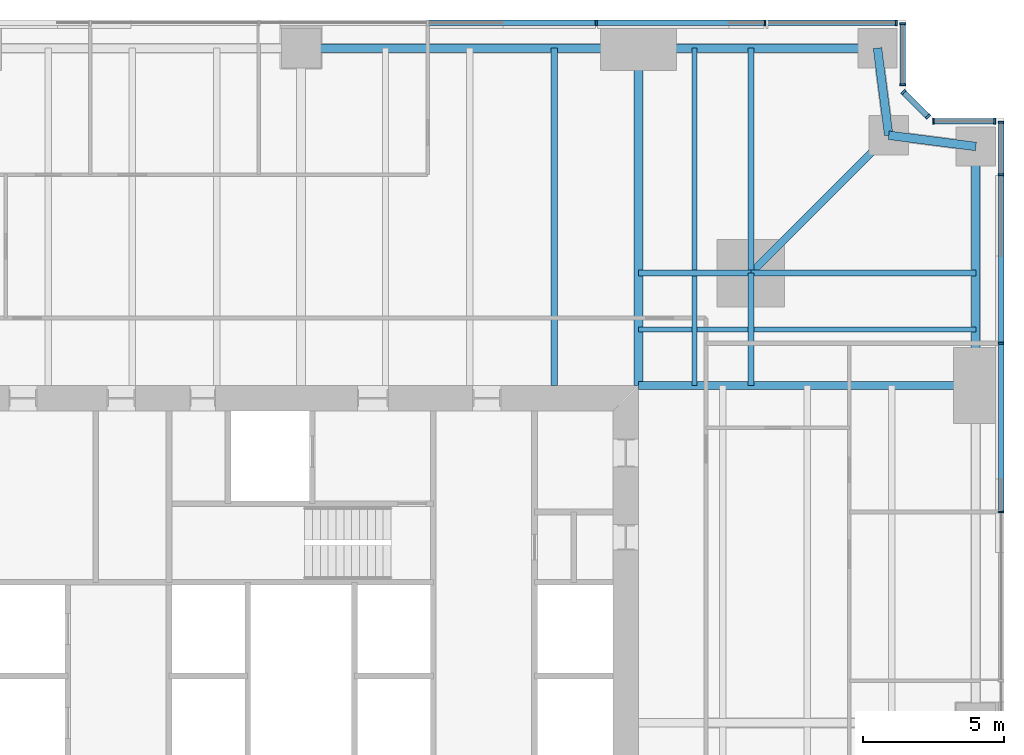
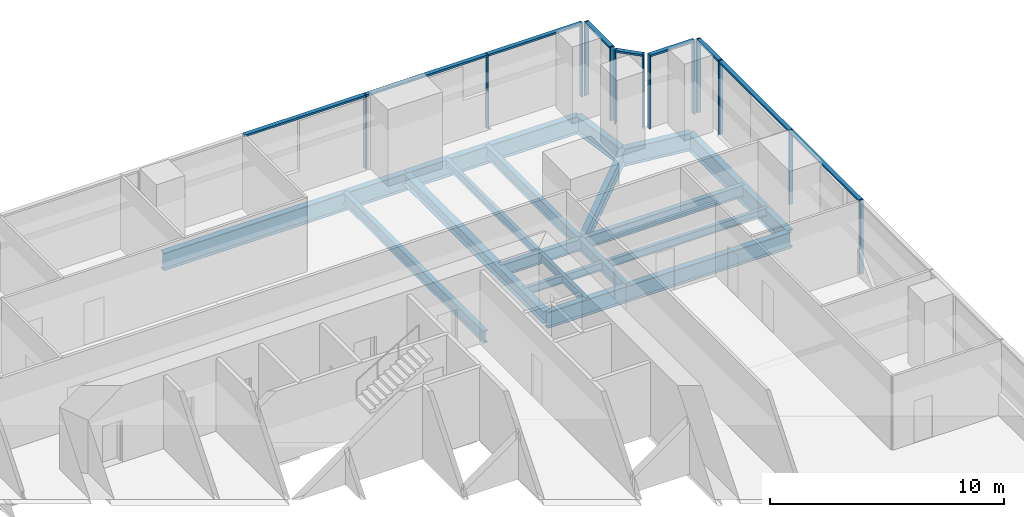
# One storey, part 7 of 16: 22 members, 18 beams, 5 elements without a shape of their own.
"""IFC4 building model written with IfcOpenShell, lengths in metres."""

from ifc_helpers import new_model, si_unit, direction, frame, origin, origin_2d, place, context, subcontext, project, spatial, rectangle, i_section, extrude, material, material_profile, profile_set, type_object, element, aggregate, save


model = new_model("IFC4")

# Units and contexts
model_context = context("Model", 3, precision=1e-05, world=origin(), true_north=direction((0.0, 1.0)))
body_context = subcontext(model_context, "Body", "Model", "MODEL_VIEW")
ifc_project = project(units=[si_unit("LENGTHUNIT", "METRE"), si_unit("AREAUNIT", "SQUARE_METRE"), si_unit("VOLUMEUNIT", "CUBIC_METRE"), si_unit("PLANEANGLEUNIT", "RADIAN"), si_unit("MASSUNIT", "GRAM", prefix="KILO")], contexts=[model_context])

# Site, building, storey
site_placement = place(None, origin())
site = spatial("IfcSite", under=ifc_project, at=site_placement, CompositionType="ELEMENT")
building_placement = place(site_placement, origin())
building = spatial("IfcBuilding", under=site, at=building_placement, Name="Fenwick Lantern Interchange", CompositionType="ELEMENT")
storey_placement = place(building_placement, frame((0.0, 0.0, 75.0)))
storey = spatial("IfcBuildingStorey", under=building, at=storey_placement, Name="L17", CompositionType="ELEMENT", Elevation=75.0)

# Beams
ifc_material_1 = material(Name="Steel ASTM A992 Grade 50", Category="steel")
ifc_material_profile_1 = material_profile(ifc_material_1, i_section(OverallWidth=0.3046875, OverallDepth=0.911865234375, WebThickness=0.015869140625, FlangeThickness=0.02392578125, at=origin_2d()), Name="W36X150")
ifc_profile_set_1 = profile_set([ifc_material_profile_1], Name="Steel ASTM A992 Grade 50")
beam_type_1 = type_object("IfcBeamType", Name="EDGE BEAM W36X150", PredefinedType="SPANDREL", material=ifc_profile_set_1)
beam_1_placement = place(storey_placement, frame((49.0, 37.0, -0.60595703125), z_axis=(0.0, 1.0, 0.0), x_axis=(-1.0, 0.0, 0.0)))
element("IfcBeam", 1, at=beam_1_placement, inside=storey, type_object=beam_type_1, Name="L17/FR/E/EB4", PredefinedType="SPANDREL", context=body_context, shape_type="SweptSolid", body=[
    extrude(i_section(OverallWidth=0.3046875, OverallDepth=0.911865234375, WebThickness=0.015869140625, FlangeThickness=0.02392578125, at=origin_2d()), origin(), (0.0, 0.0, 1.0), 8.5),
])
for number, where, z_axis, x_axis, name in (
    (2, (49.0, 45.5, -0.60595703125), (-0.991782342897, 0.127936641807, 0.0), (-0.127936641807, -0.991782342897, 0.0), "L17/FR/E/EBR1"),
    (3, (45.89990234375, 45.89990234375, -0.60595703125), (-0.127936641807, 0.991782342897, 0.0), (-0.991782342897, -0.127936641807, 0.0), "L17/FR/E/EBR2"),
):
    element("IfcBeam", number, at=place(storey_placement, frame(where, z_axis=z_axis, x_axis=x_axis)), inside=storey, type_object=beam_type_1, Name=name, PredefinedType="SPANDREL", context=body_context, shape_type="SweptSolid", body=[
        extrude(i_section(OverallWidth=0.3046875, OverallDepth=0.911865234375, WebThickness=0.015869140625, FlangeThickness=0.02392578125, at=origin_2d()), origin(), (0.0, 0.0, 1.0), 3.125732421875),
    ])
beam_2_placement = place(storey_placement, frame((45.5, 49.0, -0.60595703125), z_axis=(-1.0, 0.0, 0.0), x_axis=(0.0, -1.0, 0.0)))
element("IfcBeam", 4, at=beam_2_placement, inside=storey, type_object=beam_type_1, Name="L17/FR/N/EB1", PredefinedType="SPANDREL", context=body_context, shape_type="SweptSolid", body=[
    extrude(i_section(OverallWidth=0.3046875, OverallDepth=0.911865234375, WebThickness=0.015869140625, FlangeThickness=0.02392578125, at=origin_2d()), origin(), (0.0, 0.0, 1.0), 8.5),
])
beam_3_placement = place(storey_placement, frame((37.0, 49.0, -0.60595703125), z_axis=(-1.0, 0.0, 0.0), x_axis=(0.0, -1.0, 0.0)))
element("IfcBeam", 5, at=beam_3_placement, inside=storey, type_object=beam_type_1, Name="L17/FR/N/EB2", PredefinedType="SPANDREL", context=body_context, shape_type="SweptSolid", body=[
    extrude(i_section(OverallWidth=0.3046875, OverallDepth=0.911865234375, WebThickness=0.015869140625, FlangeThickness=0.02392578125, at=origin_2d()), origin(), (0.0, 0.0, 1.0), 12.0),
])
ifc_material_profile_2 = material_profile(ifc_material_1, i_section(OverallWidth=0.22900390625, OverallDepth=0.612060546875, WebThickness=0.011962890625, FlangeThickness=0.01953125, at=origin_2d()), Name="W24X84")
ifc_profile_set_2 = profile_set([ifc_material_profile_2], Name="Steel ASTM A992 Grade 50")
beam_type_2 = type_object("IfcBeamType", Name="FLOOR BEAM W24X84", PredefinedType="BEAM", material=ifc_profile_set_2)
beam_4_placement = place(storey_placement, frame((34.0, 49.0, -0.4560546875), z_axis=(0.0, -1.0, 0.0), x_axis=(1.0, 0.0, 0.0)))
element("IfcBeam", 6, at=beam_4_placement, inside=storey, type_object=beam_type_2, Name="L17/FR/N/R02", PredefinedType="BEAM", context=body_context, shape_type="SweptSolid", body=[
    extrude(i_section(OverallWidth=0.22900390625, OverallDepth=0.612060546875, WebThickness=0.011962890625, FlangeThickness=0.01953125, at=origin_2d()), origin(), (0.0, 0.0, 1.0), 12.0),
])
ifc_material_profile_3 = material_profile(ifc_material_1, i_section(OverallWidth=0.177734375, OverallDepth=0.406494140625, WebThickness=0.0078125, FlangeThickness=0.012939453125, at=origin_2d()), Name="W16X40")
ifc_profile_set_3 = profile_set([ifc_material_profile_3], Name="Steel ASTM A992 Grade 50")
beam_type_3 = type_object("IfcBeamType", Name="INFILL BEAM W16X40", PredefinedType="JOIST", material=ifc_profile_set_3)
beam_5_placement = place(storey_placement, frame((39.0, 49.0, -0.353271484375), z_axis=(0.0, -1.0, 0.0), x_axis=(1.0, 0.0, 0.0)))
element("IfcBeam", 7, at=beam_5_placement, inside=storey, type_object=beam_type_3, Name="L17/FR/N/J1", PredefinedType="JOIST", context=body_context, shape_type="SweptSolid", body=[
    extrude(i_section(OverallWidth=0.177734375, OverallDepth=0.406494140625, WebThickness=0.0078125, FlangeThickness=0.012939453125, at=origin_2d()), origin(), (0.0, 0.0, 1.0), 7.885498046875),
])
beam_6_placement = place(storey_placement, frame((39.0, 40.885498046875, -0.353271484375), z_axis=(0.0, -1.0, 0.0), x_axis=(1.0, 0.0, 0.0)))
element("IfcBeam", 8, at=beam_6_placement, inside=storey, type_object=beam_type_3, Name="L17/FR/N/J2", PredefinedType="JOIST", context=body_context, shape_type="SweptSolid", body=[
    extrude(i_section(OverallWidth=0.177734375, OverallDepth=0.406494140625, WebThickness=0.0078125, FlangeThickness=0.012939453125, at=origin_2d()), origin(), (0.0, 0.0, 1.0), 3.885498046875),
])
beam_7_placement = place(storey_placement, frame((49.0, 39.0, -0.353271484375), z_axis=(-1.0, 0.0, 0.0), x_axis=(0.0, -1.0, 0.0)))
element("IfcBeam", 9, at=beam_7_placement, inside=storey, type_object=beam_type_3, Name="L17/FR/N/J3", PredefinedType="JOIST", context=body_context, shape_type="SweptSolid", body=[
    extrude(i_section(OverallWidth=0.177734375, OverallDepth=0.406494140625, WebThickness=0.0078125, FlangeThickness=0.012939453125, at=origin_2d()), origin(), (0.0, 0.0, 1.0), 7.885498046875),
])
beam_8_placement = place(storey_placement, frame((40.885498046875, 39.0, -0.353271484375), z_axis=(-1.0, 0.0, 0.0), x_axis=(0.0, -1.0, 0.0)))
element("IfcBeam", 10, at=beam_8_placement, inside=storey, type_object=beam_type_3, Name="L17/FR/N/J4", PredefinedType="JOIST", context=body_context, shape_type="SweptSolid", body=[
    extrude(i_section(OverallWidth=0.177734375, OverallDepth=0.406494140625, WebThickness=0.0078125, FlangeThickness=0.012939453125, at=origin_2d()), origin(), (0.0, 0.0, 1.0), 1.796630859375),
])
beam_9_placement = place(storey_placement, frame((38.9111328125, 39.0, -0.353271484375), z_axis=(-1.0, 0.0, 0.0), x_axis=(0.0, -1.0, 0.0)))
element("IfcBeam", 11, at=beam_9_placement, inside=storey, type_object=beam_type_3, Name="L17/FR/N/J5", PredefinedType="JOIST", context=body_context, shape_type="SweptSolid", body=[
    extrude(i_section(OverallWidth=0.177734375, OverallDepth=0.406494140625, WebThickness=0.0078125, FlangeThickness=0.012939453125, at=origin_2d()), origin(), (0.0, 0.0, 1.0), 1.9111328125),
])
ifc_material_profile_4 = material_profile(ifc_material_1, i_section(OverallWidth=0.22900390625, OverallDepth=0.612060546875, WebThickness=0.011962890625, FlangeThickness=0.01953125, at=origin_2d()), Name="W24X84")
ifc_profile_set_4 = profile_set([ifc_material_profile_4], Name="Steel ASTM A992 Grade 50")
beam_type_4 = type_object("IfcBeamType", Name="MEGA COLUMN BEAM W24X84", PredefinedType="BEAM", material=ifc_profile_set_4)
for number, where, z_axis, x_axis, name in (
    (12, (41.0, 41.0, -0.4560546875), (0.0, 1.0, 0.0), (-1.0, 0.0, 0.0), "L17/FR/N/MB1"),
    (13, (41.0, 41.0, -0.4560546875), (1.0, 0.0, 0.0), (0.0, 1.0, 0.0), "L17/FR/N/MB2"),
):
    element("IfcBeam", number, at=place(storey_placement, frame(where, z_axis=z_axis, x_axis=x_axis)), inside=storey, type_object=beam_type_4, Name=name, PredefinedType="BEAM", context=body_context, shape_type="SweptSolid", body=[
        extrude(i_section(OverallWidth=0.22900390625, OverallDepth=0.612060546875, WebThickness=0.011962890625, FlangeThickness=0.01953125, at=origin_2d()), origin(), (0.0, 0.0, 1.0), 8.0),
    ])
for number, where, z_axis, x_axis, name in (
    (14, (41.0, 41.0, -0.4560546875), (-1.0, 0.0, 0.0), (0.0, -1.0, 0.0), "L17/FR/N/MB3"),
    (15, (41.0, 41.0, -0.4560546875), (0.0, -1.0, 0.0), (1.0, 0.0, 0.0), "L17/FR/N/MB4"),
):
    element("IfcBeam", number, at=place(storey_placement, frame(where, z_axis=z_axis, x_axis=x_axis)), inside=storey, type_object=beam_type_4, Name=name, PredefinedType="BEAM", context=body_context, shape_type="SweptSolid", body=[
        extrude(i_section(OverallWidth=0.22900390625, OverallDepth=0.612060546875, WebThickness=0.011962890625, FlangeThickness=0.01953125, at=origin_2d()), origin(), (0.0, 0.0, 1.0), 4.0),
    ])
ifc_material_profile_5 = material_profile(ifc_material_1, i_section(OverallWidth=0.32763671875, OverallDepth=0.622314453125, WebThickness=0.015380859375, FlangeThickness=0.0244140625, at=origin_2d()), Name="W24X131")
ifc_profile_set_5 = profile_set([ifc_material_profile_5], Name="Steel ASTM A992 Grade 50")
beam_type_5 = type_object("IfcBeamType", Name="MOMENT-CONNECTED GIRDER W24X131", PredefinedType="BEAM", material=ifc_profile_set_5)
beam_10_placement = place(storey_placement, frame((37.0, 49.0, -0.461181640625), z_axis=(0.0, -1.0, 0.0), x_axis=(1.0, 0.0, 0.0)))
element("IfcBeam", 16, at=beam_10_placement, inside=storey, type_object=beam_type_5, Name="L17/FR/N/R01", PredefinedType="BEAM", context=body_context, shape_type="SweptSolid", body=[
    extrude(i_section(OverallWidth=0.32763671875, OverallDepth=0.622314453125, WebThickness=0.015380859375, FlangeThickness=0.0244140625, at=origin_2d()), origin(), (0.0, 0.0, 1.0), 12.0),
])
ifc_material_profile_6 = material_profile(ifc_material_1, i_section(OverallWidth=0.2919921875, OverallDepth=0.845703125, WebThickness=0.015380859375, FlangeThickness=0.0244140625, at=origin_2d()), Name="W33X141")
ifc_profile_set_6 = profile_set([ifc_material_profile_6], Name="Steel ASTM A992 Grade 50")
beam_type_6 = type_object("IfcBeamType", Name="MOMENT-CONNECTED GIRDER W33X141", PredefinedType="BEAM", material=ifc_profile_set_6)
beam_11_placement = place(storey_placement, frame((49.0, 37.0, -0.572998046875), z_axis=(-1.0, 0.0, 0.0), x_axis=(0.0, -1.0, 0.0)))
element("IfcBeam", 17, at=beam_11_placement, inside=storey, type_object=beam_type_6, Name="L17/FR/E/R03", PredefinedType="BEAM", context=body_context, shape_type="SweptSolid", body=[
    extrude(i_section(OverallWidth=0.2919921875, OverallDepth=0.845703125, WebThickness=0.015380859375, FlangeThickness=0.0244140625, at=origin_2d()), origin(), (0.0, 0.0, 1.0), 12.0),
])
ifc_material_profile_7 = material_profile(ifc_material_1, i_section(OverallWidth=0.2666015625, OverallDepth=0.7568359375, WebThickness=0.013916015625, FlangeThickness=0.019287109375, at=origin_2d()), Name="W30X108")
ifc_profile_set_7 = profile_set([ifc_material_profile_7], Name="Steel ASTM A992 Grade 50")
beam_type_7 = type_object("IfcBeamType", Name="NOTCH BEAM W30X108", PredefinedType="BEAM", material=ifc_profile_set_7)
beam_12_placement = place(storey_placement, frame((41.0, 41.0, -0.528564453125), z_axis=(0.707106781187, 0.707106781187, 0.0), x_axis=(-0.707106781187, 0.707106781187, 0.0)))
element("IfcBeam", 18, at=beam_12_placement, inside=storey, type_object=beam_type_7, Name="L17/FR/N/TG", PredefinedType="BEAM", context=body_context, shape_type="SweptSolid", body=[
    extrude(i_section(OverallWidth=0.2666015625, OverallDepth=0.7568359375, WebThickness=0.013916015625, FlangeThickness=0.019287109375, at=origin_2d()), origin(), (0.0, 0.0, 1.0), 6.929443359375),
])

# Curtain wall, members
ifc_material_2 = material(Name="Aluminium curtain wall frame", Category="aluminium")
curtain_wall_type = type_object("IfcCurtainWallType", Name="OFFICE CURTAIN WALL", PredefinedType="USERDEFINED", material=ifc_material_2)
curtain_wall_1_placement = place(storey_placement, origin())
curtain_wall_1 = element("IfcCurtainWall", 19, at=curtain_wall_1_placement, inside=storey, type_object=curtain_wall_type, Name="Office curtain wall 05", ObjectType="OFFICE CURTAIN WALL", PredefinedType="USERDEFINED")
ifc_material_3 = material(Name="Aluminium extrusion", Category="aluminium")
ifc_material_profile_8 = material_profile(ifc_material_3, rectangle(XDim=0.199951171875, YDim=0.06494140625, at=origin_2d()), Name="OFFICE CURTAIN WALL MULLION 65 X 200")
ifc_profile_set_8 = profile_set([ifc_material_profile_8], Name="Aluminium extrusion")
member_type_1 = type_object("IfcMemberType", Name="OFFICE CURTAIN WALL MULLION 65 X 200", PredefinedType="MULLION", material=ifc_profile_set_8)
member_1_placement = place(storey_placement, frame((49.89990234375, 32.5, 0.0), z_axis=(0.0, 0.0, 1.0), x_axis=(-1.0, 0.0, 0.0)))
member_1 = element("IfcMember", 20, at=member_1_placement, type_object=member_type_1, Name="L17/CW/05/M05", PredefinedType="MULLION", context=body_context, shape_type="SweptSolid", body=[
    extrude(rectangle(XDim=0.199951171875, YDim=0.06494140625, at=origin_2d()), origin(), (0.0, 0.0, 1.0), 3.85009765625),
])
member_2_placement = place(storey_placement, frame((49.89990234375, 38.5, 0.0), z_axis=(0.0, 0.0, 1.0), x_axis=(-1.0, 0.0, 0.0)))
member_2 = element("IfcMember", 21, at=member_2_placement, type_object=member_type_1, Name="L17/CW/05/M06", PredefinedType="MULLION", context=body_context, shape_type="SweptSolid", body=[
    extrude(rectangle(XDim=0.199951171875, YDim=0.06494140625, at=origin_2d()), origin(), (0.0, 0.0, 1.0), 3.85009765625),
])
member_3_placement = place(storey_placement, frame((49.89990234375, 44.5, 0.0), z_axis=(0.0, 0.0, 1.0), x_axis=(-1.0, 0.0, 0.0)))
member_3 = element("IfcMember", 22, at=member_3_placement, type_object=member_type_1, Name="L17/CW/05/M07", PredefinedType="MULLION", context=body_context, shape_type="SweptSolid", body=[
    extrude(rectangle(XDim=0.199951171875, YDim=0.06494140625, at=origin_2d()), origin(), (0.0, 0.0, 1.0), 3.85009765625),
])
member_4_placement = place(storey_placement, frame((49.89990234375, 46.367431640625, 0.0), z_axis=(0.0, 0.0, 1.0), x_axis=(-1.0, 0.0, 0.0)))
member_4 = element("IfcMember", 23, at=member_4_placement, type_object=member_type_1, Name="L17/CW/05/M08", PredefinedType="MULLION", context=body_context, shape_type="SweptSolid", body=[
    extrude(rectangle(XDim=0.199951171875, YDim=0.06494140625, at=origin_2d()), origin(), (0.0, 0.0, 1.0), 3.85009765625),
])

curtain_wall_2_placement = place(storey_placement, origin())
curtain_wall_2 = element("IfcCurtainWall", 24, at=curtain_wall_2_placement, inside=storey, type_object=curtain_wall_type, Name="Office curtain wall 06", ObjectType="OFFICE CURTAIN WALL", PredefinedType="USERDEFINED")
member_5_placement = place(storey_placement, frame((49.66748046875, 46.39990234375, 0.0), z_axis=(0.0, 0.0, 1.0), x_axis=(0.0, -1.0, 0.0)))
member_5 = element("IfcMember", 25, at=member_5_placement, type_object=member_type_1, Name="L17/CW/06/M00", PredefinedType="MULLION", context=body_context, shape_type="SweptSolid", body=[
    extrude(rectangle(XDim=0.199951171875, YDim=0.06494140625, at=origin_2d()), origin(), (0.0, 0.0, 1.0), 3.85009765625),
])
member_6_placement = place(storey_placement, frame((47.490966796875, 46.39990234375, 0.0), z_axis=(0.0, 0.0, 1.0), x_axis=(0.0, -1.0, 0.0)))
member_6 = element("IfcMember", 26, at=member_6_placement, type_object=member_type_1, Name="L17/CW/06/M01", PredefinedType="MULLION", context=body_context, shape_type="SweptSolid", body=[
    extrude(rectangle(XDim=0.199951171875, YDim=0.06494140625, at=origin_2d()), origin(), (0.0, 0.0, 1.0), 3.85009765625),
])

curtain_wall_3_placement = place(storey_placement, origin())
curtain_wall_3 = element("IfcCurtainWall", 27, at=curtain_wall_3_placement, inside=storey, type_object=curtain_wall_type, Name="Office curtain wall 07", ObjectType="OFFICE CURTAIN WALL", PredefinedType="USERDEFINED")
member_7_placement = place(storey_placement, frame((47.294189453125, 46.564453125, 0.0), z_axis=(0.0, 0.0, 1.0), x_axis=(-0.707106781187, -0.707106781187, 0.0)))
member_7 = element("IfcMember", 28, at=member_7_placement, type_object=member_type_1, Name="L17/CW/07/M00", PredefinedType="MULLION", context=body_context, shape_type="SweptSolid", body=[
    extrude(rectangle(XDim=0.199951171875, YDim=0.06494140625, at=origin_2d()), origin(), (0.0, 0.0, 1.0), 3.85009765625),
])
member_8_placement = place(storey_placement, frame((46.423095703125, 47.435546875, 0.0), z_axis=(0.0, 0.0, 1.0), x_axis=(-0.707106781187, -0.707106781187, 0.0)))
member_8 = element("IfcMember", 29, at=member_8_placement, type_object=member_type_1, Name="L17/CW/07/M01", PredefinedType="MULLION", context=body_context, shape_type="SweptSolid", body=[
    extrude(rectangle(XDim=0.199951171875, YDim=0.06494140625, at=origin_2d()), origin(), (0.0, 0.0, 1.0), 3.85009765625),
])

curtain_wall_4_placement = place(storey_placement, origin())
curtain_wall_4 = element("IfcCurtainWall", 30, at=curtain_wall_4_placement, inside=storey, type_object=curtain_wall_type, Name="Office curtain wall 08", ObjectType="OFFICE CURTAIN WALL", PredefinedType="USERDEFINED")
member_9_placement = place(storey_placement, frame((46.39990234375, 47.691162109375, 0.0), z_axis=(0.0, 0.0, 1.0), x_axis=(-1.0, 0.0, 0.0)))
member_9 = element("IfcMember", 31, at=member_9_placement, type_object=member_type_1, Name="L17/CW/08/M00", PredefinedType="MULLION", context=body_context, shape_type="SweptSolid", body=[
    extrude(rectangle(XDim=0.199951171875, YDim=0.06494140625, at=origin_2d()), origin(), (0.0, 0.0, 1.0), 3.85009765625),
])
member_10_placement = place(storey_placement, frame((46.39990234375, 49.867431640625, 0.0), z_axis=(0.0, 0.0, 1.0), x_axis=(-1.0, 0.0, 0.0)))
member_10 = element("IfcMember", 32, at=member_10_placement, type_object=member_type_1, Name="L17/CW/08/M01", PredefinedType="MULLION", context=body_context, shape_type="SweptSolid", body=[
    extrude(rectangle(XDim=0.199951171875, YDim=0.06494140625, at=origin_2d()), origin(), (0.0, 0.0, 1.0), 3.85009765625),
])

curtain_wall_5_placement = place(storey_placement, origin())
curtain_wall_5 = element("IfcCurtainWall", 33, at=curtain_wall_5_placement, inside=storey, type_object=curtain_wall_type, Name="Office curtain wall 09", ObjectType="OFFICE CURTAIN WALL", PredefinedType="USERDEFINED")
member_11_placement = place(storey_placement, frame((46.16748046875, 49.89990234375, 0.0), z_axis=(0.0, 0.0, 1.0), x_axis=(0.0, -1.0, 0.0)))
member_11 = element("IfcMember", 34, at=member_11_placement, type_object=member_type_1, Name="L17/CW/09/M00", PredefinedType="MULLION", context=body_context, shape_type="SweptSolid", body=[
    extrude(rectangle(XDim=0.199951171875, YDim=0.06494140625, at=origin_2d()), origin(), (0.0, 0.0, 1.0), 3.85009765625),
])
member_12_placement = place(storey_placement, frame((41.5, 49.89990234375, 0.0), z_axis=(0.0, 0.0, 1.0), x_axis=(0.0, -1.0, 0.0)))
member_12 = element("IfcMember", 35, at=member_12_placement, type_object=member_type_1, Name="L17/CW/09/M01", PredefinedType="MULLION", context=body_context, shape_type="SweptSolid", body=[
    extrude(rectangle(XDim=0.199951171875, YDim=0.06494140625, at=origin_2d()), origin(), (0.0, 0.0, 1.0), 3.85009765625),
])
member_13_placement = place(storey_placement, frame((35.5, 49.89990234375, 0.0), z_axis=(0.0, 0.0, 1.0), x_axis=(0.0, -1.0, 0.0)))
member_13 = element("IfcMember", 36, at=member_13_placement, type_object=member_type_1, Name="L17/CW/09/M02", PredefinedType="MULLION", context=body_context, shape_type="SweptSolid", body=[
    extrude(rectangle(XDim=0.199951171875, YDim=0.06494140625, at=origin_2d()), origin(), (0.0, 0.0, 1.0), 3.85009765625),
])

# Member
ifc_material_profile_9 = material_profile(ifc_material_3, rectangle(XDim=0.199951171875, YDim=0.10009765625, at=origin_2d()), Name="OFFICE CURTAIN WALL TRANSOM 100 X 200")
ifc_profile_set_9 = profile_set([ifc_material_profile_9], Name="Aluminium extrusion")
member_type_2 = type_object("IfcMemberType", Name="OFFICE CURTAIN WALL TRANSOM 100 X 200", PredefinedType="MULLION", material=ifc_profile_set_9)
member_14_placement = place(storey_placement, frame((49.89990234375, 32.532470703125, 3.800048828125), z_axis=(0.0, 1.0, 0.0), x_axis=(-1.0, 0.0, 0.0)))
member_14 = element("IfcMember", 37, at=member_14_placement, type_object=member_type_2, Name="L17/CW/05/T05", PredefinedType="MULLION", context=body_context, shape_type="SweptSolid", body=[
    extrude(rectangle(XDim=0.199951171875, YDim=0.10009765625, at=origin_2d()), origin(), (0.0, 0.0, 1.0), 5.93505859375),
])

member_15_placement = place(storey_placement, frame((49.89990234375, 38.532470703125, 3.800048828125), z_axis=(0.0, 1.0, 0.0), x_axis=(-1.0, 0.0, 0.0)))
member_15 = element("IfcMember", 38, at=member_15_placement, type_object=member_type_2, Name="L17/CW/05/T06", PredefinedType="MULLION", context=body_context, shape_type="SweptSolid", body=[
    extrude(rectangle(XDim=0.199951171875, YDim=0.10009765625, at=origin_2d()), origin(), (0.0, 0.0, 1.0), 5.93505859375),
])

member_16_placement = place(storey_placement, frame((49.89990234375, 44.532470703125, 3.800048828125), z_axis=(0.0, 1.0, 0.0), x_axis=(-1.0, 0.0, 0.0)))
member_16 = element("IfcMember", 39, at=member_16_placement, type_object=member_type_2, Name="L17/CW/05/T07", PredefinedType="MULLION", context=body_context, shape_type="SweptSolid", body=[
    extrude(rectangle(XDim=0.199951171875, YDim=0.10009765625, at=origin_2d()), origin(), (0.0, 0.0, 1.0), 1.802490234375),
])

aggregate(curtain_wall_1, [member_1, member_2, member_3, member_4, member_14, member_15, member_16])

member_17_placement = place(storey_placement, frame((49.635009765625, 46.39990234375, 3.800048828125), z_axis=(-1.0, 0.0, 0.0), x_axis=(0.0, -1.0, 0.0)))
member_17 = element("IfcMember", 40, at=member_17_placement, type_object=member_type_2, Name="L17/CW/06/T00", PredefinedType="MULLION", context=body_context, shape_type="SweptSolid", body=[
    extrude(rectangle(XDim=0.199951171875, YDim=0.10009765625, at=origin_2d()), origin(), (0.0, 0.0, 1.0), 2.111328125),
])

aggregate(curtain_wall_2, [member_5, member_6, member_17])

member_18_placement = place(storey_placement, frame((47.271240234375, 46.58740234375, 3.800048828125), z_axis=(-0.707106781187, 0.707106781187, 0.0), x_axis=(-0.707106781187, -0.707106781187, 0.0)))
member_18 = element("IfcMember", 41, at=member_18_placement, type_object=member_type_2, Name="L17/CW/07/T00", PredefinedType="MULLION", context=body_context, shape_type="SweptSolid", body=[
    extrude(rectangle(XDim=0.199951171875, YDim=0.10009765625, at=origin_2d()), origin(), (0.0, 0.0, 1.0), 1.1669921875),
])

aggregate(curtain_wall_3, [member_7, member_8, member_18])

member_19_placement = place(storey_placement, frame((46.39990234375, 47.7236328125, 3.800048828125), z_axis=(0.0, 1.0, 0.0), x_axis=(-1.0, 0.0, 0.0)))
member_19 = element("IfcMember", 42, at=member_19_placement, type_object=member_type_2, Name="L17/CW/08/T00", PredefinedType="MULLION", context=body_context, shape_type="SweptSolid", body=[
    extrude(rectangle(XDim=0.199951171875, YDim=0.10009765625, at=origin_2d()), origin(), (0.0, 0.0, 1.0), 2.111328125),
])

aggregate(curtain_wall_4, [member_9, member_10, member_19])

member_20_placement = place(storey_placement, frame((46.135009765625, 49.89990234375, 3.800048828125), z_axis=(-1.0, 0.0, 0.0), x_axis=(0.0, -1.0, 0.0)))
member_20 = element("IfcMember", 43, at=member_20_placement, type_object=member_type_2, Name="L17/CW/09/T00", PredefinedType="MULLION", context=body_context, shape_type="SweptSolid", body=[
    extrude(rectangle(XDim=0.199951171875, YDim=0.10009765625, at=origin_2d()), origin(), (0.0, 0.0, 1.0), 4.6025390625),
])

member_21_placement = place(storey_placement, frame((41.467529296875, 49.89990234375, 3.800048828125), z_axis=(-1.0, 0.0, 0.0), x_axis=(0.0, -1.0, 0.0)))
member_21 = element("IfcMember", 44, at=member_21_placement, type_object=member_type_2, Name="L17/CW/09/T01", PredefinedType="MULLION", context=body_context, shape_type="SweptSolid", body=[
    extrude(rectangle(XDim=0.199951171875, YDim=0.10009765625, at=origin_2d()), origin(), (0.0, 0.0, 1.0), 5.93505859375),
])

member_22_placement = place(storey_placement, frame((35.467529296875, 49.89990234375, 3.800048828125), z_axis=(-1.0, 0.0, 0.0), x_axis=(0.0, -1.0, 0.0)))
member_22 = element("IfcMember", 45, at=member_22_placement, type_object=member_type_2, Name="L17/CW/09/T02", PredefinedType="MULLION", context=body_context, shape_type="SweptSolid", body=[
    extrude(rectangle(XDim=0.199951171875, YDim=0.10009765625, at=origin_2d()), origin(), (0.0, 0.0, 1.0), 5.93505859375),
])

aggregate(curtain_wall_5, [member_11, member_12, member_13, member_20, member_21, member_22])

save(model, "model.ifc")
